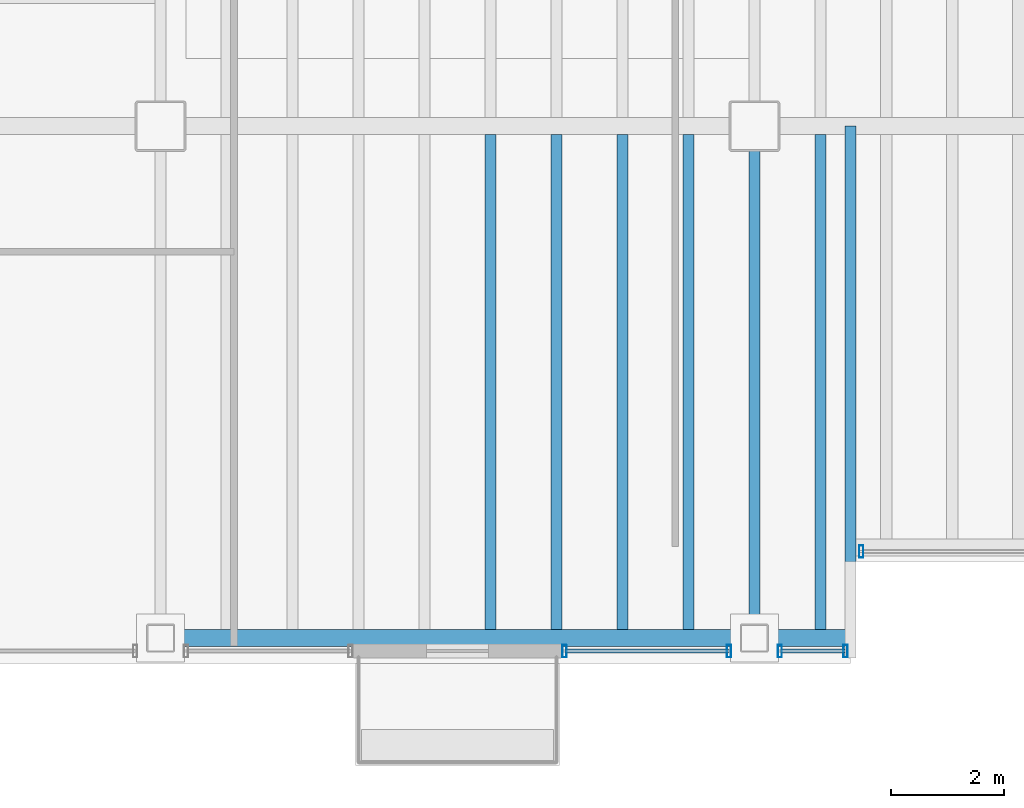
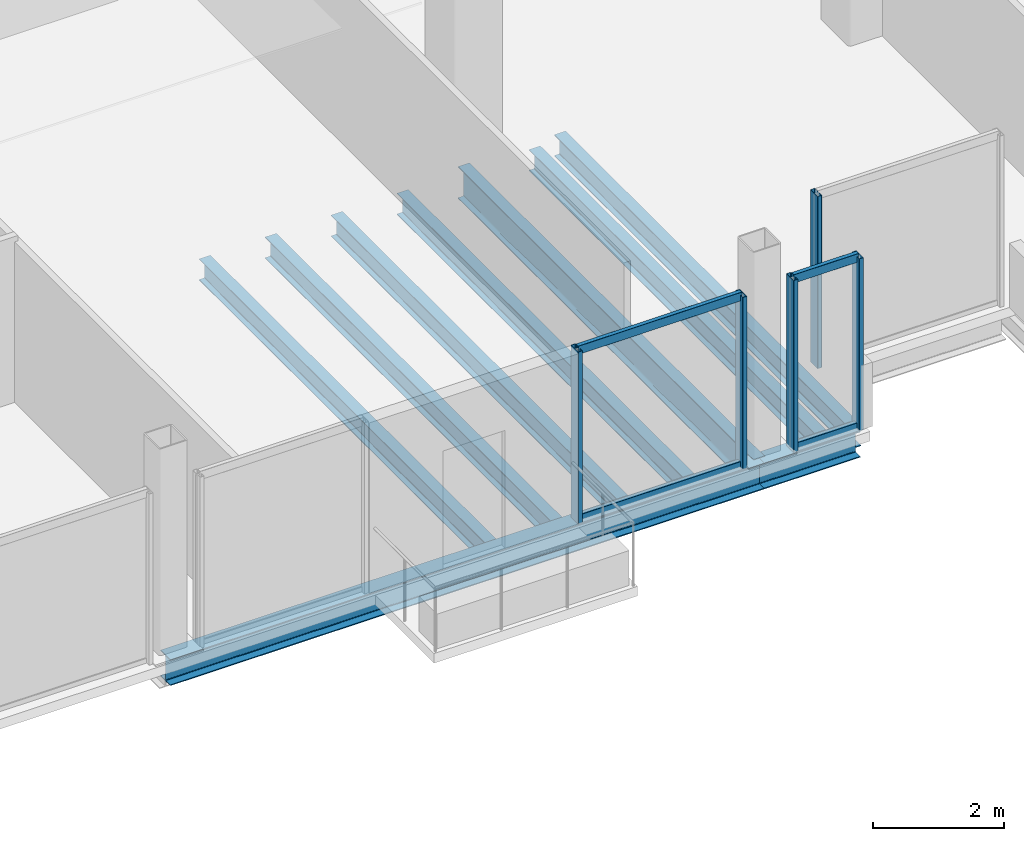
# One storey, part 4 of 20: 9 beams, 9 members, 3 elements without a shape of their own.
"""IFC4 building model written with IfcOpenShell, lengths in metres."""

from ifc_helpers import new_model, si_unit, direction, frame, origin, origin_2d, place, context, subcontext, project, spatial, hollow_rectangle, i_section, extrude, material, material_profile, profile_set, type_object, element, aggregate, save


model = new_model("IFC4")

# Units and contexts
model_context = context("Model", 3, precision=1e-05, world=origin(), true_north=direction((0.0, 1.0)))
body_context = subcontext(model_context, "Body", "Model", "MODEL_VIEW")
ifc_project = project(units=[si_unit("LENGTHUNIT", "METRE"), si_unit("AREAUNIT", "SQUARE_METRE"), si_unit("VOLUMEUNIT", "CUBIC_METRE"), si_unit("PLANEANGLEUNIT", "RADIAN"), si_unit("MASSUNIT", "GRAM", prefix="KILO")], contexts=[model_context])

# Site, building, storey
site_placement = place(None, origin())
site = spatial("IfcSite", under=ifc_project, at=site_placement, CompositionType="ELEMENT")
building_placement = place(site_placement, origin())
building = spatial("IfcBuilding", under=site, at=building_placement, Name="Noeulbin Bourse Tower", CompositionType="ELEMENT")
storey_placement = place(building_placement, frame((0.0, 0.0, 118.800048828125)))
storey = spatial("IfcBuildingStorey", under=building, at=storey_placement, Name="L29", CompositionType="ELEMENT", Elevation=118.800048828125)

# Beams
ifc_material_1 = material(Name="Steel S355", Category="steel")
ifc_material_profile_1 = material_profile(ifc_material_1, i_section(OverallWidth=0.199951171875, OverallDepth=0.60009765625, WebThickness=0.010986328125, FlangeThickness=0.01708984375, FilletRadius=0.02197265625, at=origin_2d()), Name="H-600x200x11x17", Category="LoadBearing")
ifc_profile_set_1 = profile_set([ifc_material_profile_1], Name="Steel S355")
beam_type_1 = type_object("IfcBeamType", Name="BM-GRD-600", PredefinedType="USERDEFINED", material=ifc_profile_set_1)
beam_1_placement = place(storey_placement, frame((24.0, 10.949951171875, -0.47998046875), z_axis=(0.0, 1.0, 0.0), x_axis=(-1.0, 0.0, 0.0)))
element("IfcBeam", 1, at=beam_1_placement, inside=storey, type_object=beam_type_1, Name="Tower Primary Girder NS L29-2.1", ObjectType="GIRDER", PredefinedType="USERDEFINED", context=body_context, shape_type="SweptSolid", body=[
    extrude(i_section(OverallWidth=0.199951171875, OverallDepth=0.60009765625, WebThickness=0.010986328125, FlangeThickness=0.01708984375, FilletRadius=0.02197265625, at=origin_2d()), origin(), (0.0, 0.0, 1.0), 9.050048828125),
])
ifc_material_profile_2 = material_profile(ifc_material_1, i_section(OverallWidth=0.199951171875, OverallDepth=0.39990234375, WebThickness=0.008056640625, FlangeThickness=0.012939453125, FilletRadius=0.01611328125, at=origin_2d()), Name="H-400x200x8x13", Category="LoadBearing")
ifc_profile_set_2 = profile_set([ifc_material_profile_2], Name="Steel S355")
beam_type_2 = type_object("IfcBeamType", Name="BM-SEC-400", PredefinedType="BEAM", material=ifc_profile_set_2)
beam_2_placement = place(storey_placement, frame((25.699951171875, 10.949951171875, -0.380126953125), z_axis=(0.0, 1.0, 0.0), x_axis=(-1.0, 0.0, 0.0)))
element("IfcBeam", 2, at=beam_2_placement, inside=storey, type_object=beam_type_2, Name="BM-L29-SRT-W", PredefinedType="BEAM", context=body_context, shape_type="SweptSolid", body=[
    extrude(i_section(OverallWidth=0.199951171875, OverallDepth=0.39990234375, WebThickness=0.008056640625, FlangeThickness=0.012939453125, FilletRadius=0.01611328125, at=origin_2d()), origin(), (0.0, 0.0, 1.0), 9.050048828125),
])
for number, where, z_axis, x_axis, name in (
    (3, (19.333251953125, 11.10009765625, -0.380126953125), (0.0, 1.0, 0.0), (-1.0, 0.0, 0.0), "Tower Composite Joist L29-09"),
    (4, (20.5, 11.10009765625, -0.380126953125), (0.0, 1.0, 0.0), (-1.0, 0.0, 0.0), "Tower Composite Joist L29-11"),
    (5, (21.666748046875, 11.10009765625, -0.380126953125), (0.0, 1.0, 0.0), (-1.0, 0.0, 0.0), "Tower Composite Joist L29-13"),
    (6, (22.833251953125, 11.10009765625, -0.380126953125), (0.0, 1.0, 0.0), (-1.0, 0.0, 0.0), "Tower Composite Joist L29-15"),
    (7, (25.166748046875, 11.10009765625, -0.380126953125), (0.0, 1.0, 0.0), (-1.0, 0.0, 0.0), "Tower Composite Joist L29-17"),
):
    element("IfcBeam", number, at=place(storey_placement, frame(where, z_axis=z_axis, x_axis=x_axis)), inside=storey, type_object=beam_type_2, Name=name, PredefinedType="BEAM", context=body_context, shape_type="SweptSolid", body=[
        extrude(i_section(OverallWidth=0.199951171875, OverallDepth=0.39990234375, WebThickness=0.008056640625, FlangeThickness=0.012939453125, FilletRadius=0.01611328125, at=origin_2d()), origin(), (0.0, 0.0, 1.0), 8.75),
    ])
ifc_material_profile_3 = material_profile(ifc_material_1, i_section(OverallWidth=0.300048828125, OverallDepth=0.488037109375, WebThickness=0.010986328125, FlangeThickness=0.01806640625, FilletRadius=0.02197265625, at=origin_2d()), Name="H-488x300x11x18", Category="LoadBearing")
ifc_profile_set_3 = profile_set([ifc_material_profile_3], Name="Steel S355")
beam_type_3 = type_object("IfcBeamType", Name="BM-SPN-488", PredefinedType="SPANDREL", material=ifc_profile_set_3)
beam_3_placement = place(storey_placement, frame((13.5, 10.949951171875, -0.424072265625), z_axis=(1.0, 0.0, 0.0), x_axis=(0.0, 1.0, 0.0)))
element("IfcBeam", 8, at=beam_3_placement, inside=storey, type_object=beam_type_3, Name="South Spandrel L29-1", PredefinedType="SPANDREL", context=body_context, shape_type="SweptSolid", body=[
    extrude(i_section(OverallWidth=0.300048828125, OverallDepth=0.488037109375, WebThickness=0.010986328125, FlangeThickness=0.01806640625, FilletRadius=0.02197265625, at=origin_2d()), origin(), (0.0, 0.0, 1.0), 10.5),
])
beam_4_placement = place(storey_placement, frame((24.0, 10.949951171875, -0.424072265625), z_axis=(1.0, 0.0, 0.0), x_axis=(0.0, 1.0, 0.0)))
element("IfcBeam", 9, at=beam_4_placement, inside=storey, type_object=beam_type_3, Name="South Spandrel L29-2A", PredefinedType="SPANDREL", context=body_context, shape_type="SweptSolid", body=[
    extrude(i_section(OverallWidth=0.300048828125, OverallDepth=0.488037109375, WebThickness=0.010986328125, FlangeThickness=0.01806640625, FilletRadius=0.02197265625, at=origin_2d()), origin(), (0.0, 0.0, 1.0), 1.699951171875),
])

# Curtain wall, member
ifc_material_2 = material(Name="Dark Tinted Triple Glazing", Category="glass")
curtain_wall_type = type_object("IfcCurtainWallType", Name="CW-SYS-3", PredefinedType="NOTDEFINED", material=ifc_material_2)
curtain_wall_1_placement = place(storey_placement, origin())
curtain_wall_1 = element("IfcCurtainWall", 10, at=curtain_wall_1_placement, inside=storey, type_object=curtain_wall_type, Name="Unitised Curtain Wall CW-L29-SREC", PredefinedType="NOTDEFINED")
ifc_material_3 = material(Name="Anodised Aluminium 6063-T6", Category="aluminium")
ifc_material_profile_4 = material_profile(ifc_material_3, hollow_rectangle(XDim=0.074951171875, YDim=0.219970703125, WallThickness=0.0048828125, InnerFilletRadius=0.00244140625, OuterFilletRadius=0.0048828125, at=origin_2d()), Name="ALU-MULL-75x220x5", Category="LoadBearing")
ifc_profile_set_4 = profile_set([ifc_material_profile_4], Name="Anodised Aluminium 6063-T6")
member_type_1 = type_object("IfcMemberType", Name="CW-SYS-3-MUL", PredefinedType="MULLION", material=ifc_profile_set_4)
member_1_placement = place(storey_placement, frame((25.889892578125, 12.47998046875, -0.02001953125), z_axis=(0.0, 0.0, 1.0), x_axis=(1.0, 0.0, 0.0)))
member_1 = element("IfcMember", 11, at=member_1_placement, type_object=member_type_1, Name="Curtain Wall Mullion CW-L29-SREC-M00", PredefinedType="MULLION", context=body_context, shape_type="SweptSolid", body=[
    extrude(hollow_rectangle(XDim=0.074951171875, YDim=0.219970703125, WallThickness=0.0048828125, InnerFilletRadius=0.00244140625, OuterFilletRadius=0.0048828125, at=origin_2d()), origin(), (0.0, 0.0, 1.0), 3.219970703125),
])
aggregate(curtain_wall_1, [member_1])

# Curtain wall, members
curtain_wall_2_placement = place(storey_placement, origin())
curtain_wall_2 = element("IfcCurtainWall", 12, at=curtain_wall_2_placement, inside=storey, type_object=curtain_wall_type, Name="Unitised Curtain Wall CW-L29-S2-S1", PredefinedType="NOTDEFINED")
member_2_placement = place(storey_placement, frame((20.639892578125, 10.719970703125, -0.02001953125), z_axis=(0.0, 0.0, 1.0), x_axis=(1.0, 0.0, 0.0)))
member_2 = element("IfcMember", 13, at=member_2_placement, type_object=member_type_1, Name="Curtain Wall Mullion CW-L29-S2-S1-M00", PredefinedType="MULLION", context=body_context, shape_type="SweptSolid", body=[
    extrude(hollow_rectangle(XDim=0.074951171875, YDim=0.219970703125, WallThickness=0.0048828125, InnerFilletRadius=0.00244140625, OuterFilletRadius=0.0048828125, at=origin_2d()), origin(), (0.0, 0.0, 1.0), 3.219970703125),
])
member_3_placement = place(storey_placement, frame((23.550048828125, 10.719970703125, -0.02001953125), z_axis=(0.0, 0.0, 1.0), x_axis=(1.0, 0.0, 0.0)))
member_3 = element("IfcMember", 14, at=member_3_placement, type_object=member_type_1, Name="Curtain Wall Mullion CW-L29-S2-S1-M01", PredefinedType="MULLION", context=body_context, shape_type="SweptSolid", body=[
    extrude(hollow_rectangle(XDim=0.074951171875, YDim=0.219970703125, WallThickness=0.0048828125, InnerFilletRadius=0.00244140625, OuterFilletRadius=0.0048828125, at=origin_2d()), origin(), (0.0, 0.0, 1.0), 3.219970703125),
])

curtain_wall_3_placement = place(storey_placement, origin())
curtain_wall_3 = element("IfcCurtainWall", 15, at=curtain_wall_3_placement, inside=storey, type_object=curtain_wall_type, Name="Unitised Curtain Wall CW-L29-S2-S2", PredefinedType="NOTDEFINED")
member_4_placement = place(storey_placement, frame((24.449951171875, 10.719970703125, -0.02001953125), z_axis=(0.0, 0.0, 1.0), x_axis=(1.0, 0.0, 0.0)))
member_4 = element("IfcMember", 16, at=member_4_placement, type_object=member_type_1, Name="Curtain Wall Mullion CW-L29-S2-S2-M00", PredefinedType="MULLION", context=body_context, shape_type="SweptSolid", body=[
    extrude(hollow_rectangle(XDim=0.074951171875, YDim=0.219970703125, WallThickness=0.0048828125, InnerFilletRadius=0.00244140625, OuterFilletRadius=0.0048828125, at=origin_2d()), origin(), (0.0, 0.0, 1.0), 3.219970703125),
])
member_5_placement = place(storey_placement, frame((25.610107421875, 10.719970703125, -0.02001953125), z_axis=(0.0, 0.0, 1.0), x_axis=(1.0, 0.0, 0.0)))
member_5 = element("IfcMember", 17, at=member_5_placement, type_object=member_type_1, Name="Curtain Wall Mullion CW-L29-S2-S2-M01", PredefinedType="MULLION", context=body_context, shape_type="SweptSolid", body=[
    extrude(hollow_rectangle(XDim=0.074951171875, YDim=0.219970703125, WallThickness=0.0048828125, InnerFilletRadius=0.00244140625, OuterFilletRadius=0.0048828125, at=origin_2d()), origin(), (0.0, 0.0, 1.0), 3.219970703125),
])

# Member
ifc_material_profile_5 = material_profile(ifc_material_3, hollow_rectangle(XDim=0.074951171875, YDim=0.159912109375, WallThickness=0.0048828125, InnerFilletRadius=0.00244140625, OuterFilletRadius=0.0048828125, at=origin_2d()), Name="ALU-TRAN-75x160x5", Category="LoadBearing")
ifc_profile_set_5 = profile_set([ifc_material_profile_5], Name="Anodised Aluminium 6063-T6")
member_type_2 = type_object("IfcMemberType", Name="CW-SYS-3-TRN", PredefinedType="USERDEFINED", material=ifc_profile_set_5)
member_6_placement = place(storey_placement, frame((20.64990234375, 10.719970703125, 0.010009765625), z_axis=(1.0, 0.0, 0.0), x_axis=(0.0, 1.0, 0.0)))
member_6 = element("IfcMember", 18, at=member_6_placement, type_object=member_type_2, Name="Curtain Wall Transom CW-L29-S2-S1-T00", ObjectType="TRANSOM", PredefinedType="USERDEFINED", context=body_context, shape_type="SweptSolid", body=[
    extrude(hollow_rectangle(XDim=0.074951171875, YDim=0.159912109375, WallThickness=0.0048828125, InnerFilletRadius=0.00244140625, OuterFilletRadius=0.0048828125, at=origin_2d()), origin(), (0.0, 0.0, 1.0), 2.89013671875),
])

member_7_placement = place(storey_placement, frame((20.64990234375, 10.719970703125, 3.169921875), z_axis=(1.0, 0.0, 0.0), x_axis=(0.0, 1.0, 0.0)))
member_7 = element("IfcMember", 19, at=member_7_placement, type_object=member_type_2, Name="Curtain Wall Transom CW-L29-S2-S1-T01", ObjectType="TRANSOM", PredefinedType="USERDEFINED", context=body_context, shape_type="SweptSolid", body=[
    extrude(hollow_rectangle(XDim=0.074951171875, YDim=0.159912109375, WallThickness=0.0048828125, InnerFilletRadius=0.00244140625, OuterFilletRadius=0.0048828125, at=origin_2d()), origin(), (0.0, 0.0, 1.0), 2.89013671875),
])

aggregate(curtain_wall_2, [member_2, member_3, member_6, member_7])

member_8_placement = place(storey_placement, frame((24.4599609375, 10.719970703125, 0.010009765625), z_axis=(1.0, 0.0, 0.0), x_axis=(0.0, 1.0, 0.0)))
member_8 = element("IfcMember", 20, at=member_8_placement, type_object=member_type_2, Name="Curtain Wall Transom CW-L29-S2-S2-T00", ObjectType="TRANSOM", PredefinedType="USERDEFINED", context=body_context, shape_type="SweptSolid", body=[
    extrude(hollow_rectangle(XDim=0.074951171875, YDim=0.159912109375, WallThickness=0.0048828125, InnerFilletRadius=0.00244140625, OuterFilletRadius=0.0048828125, at=origin_2d()), origin(), (0.0, 0.0, 1.0), 1.14013671875),
])

member_9_placement = place(storey_placement, frame((24.4599609375, 10.719970703125, 3.169921875), z_axis=(1.0, 0.0, 0.0), x_axis=(0.0, 1.0, 0.0)))
member_9 = element("IfcMember", 21, at=member_9_placement, type_object=member_type_2, Name="Curtain Wall Transom CW-L29-S2-S2-T01", ObjectType="TRANSOM", PredefinedType="USERDEFINED", context=body_context, shape_type="SweptSolid", body=[
    extrude(hollow_rectangle(XDim=0.074951171875, YDim=0.159912109375, WallThickness=0.0048828125, InnerFilletRadius=0.00244140625, OuterFilletRadius=0.0048828125, at=origin_2d()), origin(), (0.0, 0.0, 1.0), 1.14013671875),
])

aggregate(curtain_wall_3, [member_4, member_5, member_8, member_9])

save(model, "model.ifc")
